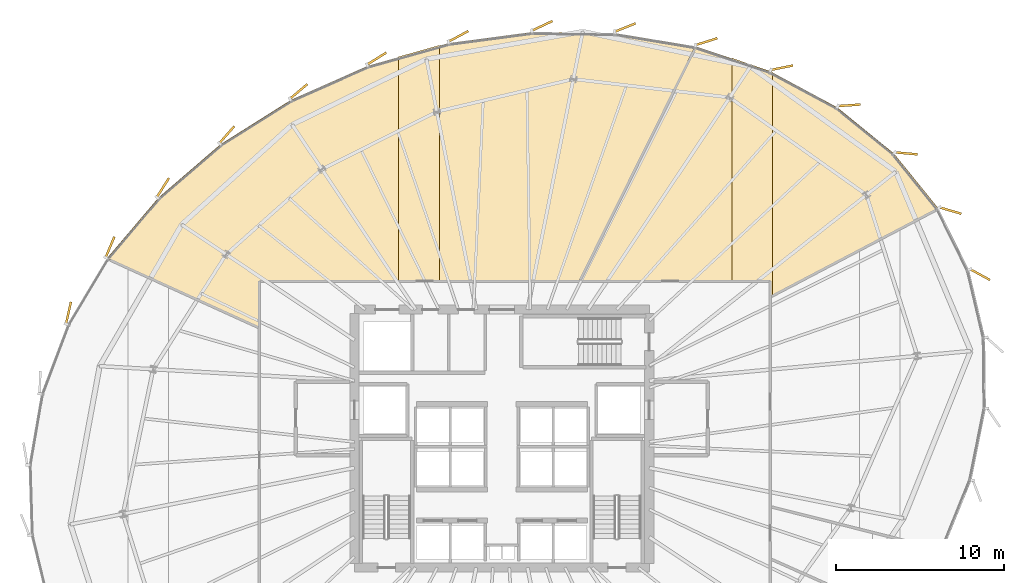
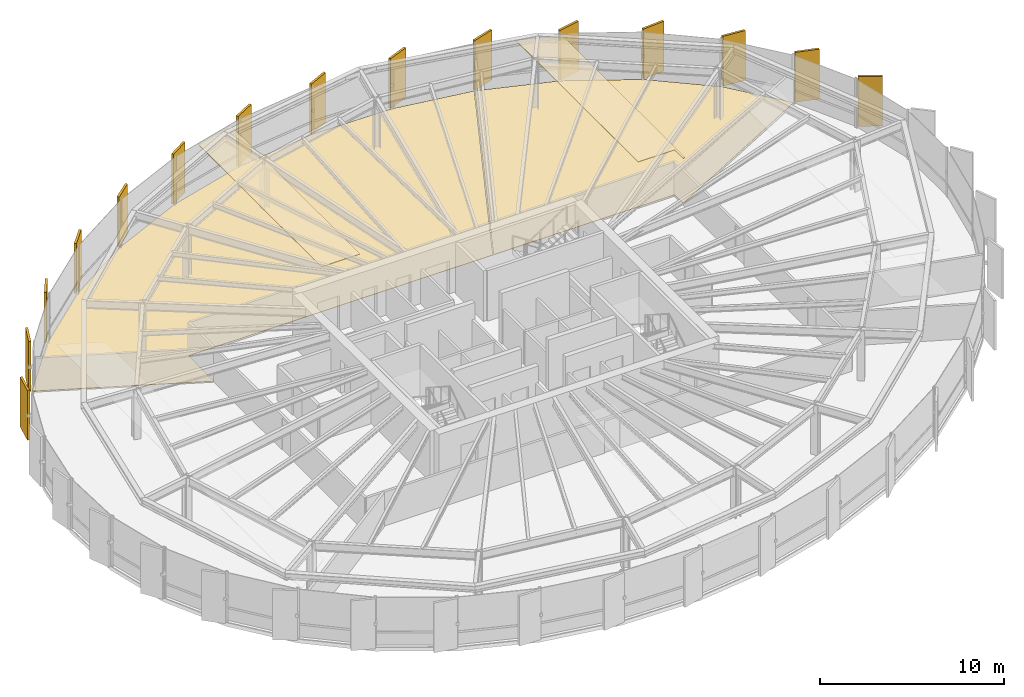
# One storey, part 33 of 33: 19 coverings.
"""IFC4 building model written with IfcOpenShell, lengths in metres."""

from ifc_helpers import new_model, si_unit, direction, frame, origin, origin_2d, place, context, subcontext, project, spatial, polyline, rectangle, outline, extrude, source, transform, mapped, material, layer, layer_set, type_object, element, save


model = new_model("IFC4")

# Units and contexts
model_context = context("Model", 3, precision=1e-05, world=origin(), true_north=direction((0.0, 1.0)))
body_context = subcontext(model_context, "Body", "Model", "MODEL_VIEW")
ifc_project = project(units=[si_unit("LENGTHUNIT", "METRE"), si_unit("AREAUNIT", "SQUARE_METRE"), si_unit("VOLUMEUNIT", "CUBIC_METRE"), si_unit("PLANEANGLEUNIT", "RADIAN"), si_unit("MASSUNIT", "GRAM", prefix="KILO"), si_unit("THERMODYNAMICTEMPERATUREUNIT", "KELVIN")], contexts=[model_context])

# Site, building, storey
site_placement = place(None, origin())
site = spatial("IfcSite", under=ifc_project, at=site_placement, CompositionType="ELEMENT")
building_placement = place(site_placement, origin())
building = spatial("IfcBuilding", under=site, at=building_placement, Name="Kethvar Cultural Tower", CompositionType="ELEMENT")
storey_placement = place(building_placement, frame((0.0, 0.0, 114.39990234375)))
storey = spatial("IfcBuildingStorey", under=building, at=storey_placement, Name="L28", CompositionType="ELEMENT", Elevation=114.39990234375)

# Coverings
ifc_material_1 = material(Name="Acoustic Mineral Fibre Ceiling")
ifc_layer_1 = layer(ifc_material_1, 0.0400390625, Name="Acoustic Mineral Fibre Ceiling")
ifc_layer_set_1 = layer_set([ifc_layer_1], Name="Acoustic Mineral Fibre Ceiling (40 mm)")
covering_type_1 = type_object("IfcCoveringType", Name="CV-ACOUSTIC-CEIL", PredefinedType="CEILING", material=ifc_layer_set_1)
covering_1_placement = place(storey_placement, frame((0.0, 0.0, 3.0)))
element("IfcCovering", 1, at=covering_1_placement, inside=storey, type_object=covering_type_1, Name="L28 Room 04 Acoustic Ceiling Panel", PredefinedType="CEILING", context=body_context, shape_type="SweptSolid", body=[
    extrude(outline(polyline([(60.530517578125, 50.514892578125), (62.96044921875, 49.680419921875), (62.96044921875, 36.3017578125), (62.829833984375, 36.235595703125), (62.81005859375, 37.179931640625), (60.530517578125, 37.179931640625), (60.530517578125, 50.514892578125)])), origin(), (0.0, 0.0, 1.0), 0.0400390625),
])
covering_2_placement = place(storey_placement, frame((0.0, 0.0, 3.0)))
element("IfcCovering", 2, at=covering_2_placement, inside=storey, type_object=covering_type_1, Name="L28 Room 05 Acoustic Ceiling Panel", PredefinedType="CEILING", context=body_context, shape_type="SweptSolid", body=[
    extrude(outline(polyline([(43.075439453125, 51.27734375), (43.075439453125, 37.179931640625), (40.6455078125, 37.179931640625), (40.6455078125, 50.593994140625), (43.075439453125, 51.27734375)])), origin(), (0.0, 0.0, 1.0), 0.0400390625),
])
ifc_material_2 = material(Name="Architectural Oak Timber", Category="wood")
ifc_layer_2 = layer(ifc_material_2, 0.02490234375, Name="Architectural Oak Timber", Category="wood")
ifc_layer_set_2 = layer_set([ifc_layer_2], Name="Architectural Oak Timber (25 mm)")
covering_type_2 = type_object("IfcCoveringType", Name="CV-OAK-FLOOR", PredefinedType="FLOORING", material=ifc_layer_set_2)
covering_3_placement = place(storey_placement, origin())
element("IfcCovering", 3, at=covering_3_placement, inside=storey, type_object=covering_type_2, Name="L28 Room 04 Floor Finish", PredefinedType="FLOORING", context=body_context, shape_type="SweptSolid", body=[
    extrude(outline(polyline([(62.822021484375, 49.70947265625), (66.8154296875, 47.56103515625), (70.1962890625, 44.810791015625), (72.833251953125, 41.5546875), (62.85009765625, 36.288818359375), (62.83203125, 37.219970703125), (51.47265625, 37.219970703125), (58.3701171875, 51.192138671875), (62.822021484375, 49.70947265625)])), origin(), (0.0, 0.0, 1.0), 0.025146484375),
])
covering_4_placement = place(storey_placement, origin())
element("IfcCovering", 4, at=covering_4_placement, inside=storey, type_object=covering_type_2, Name="L28 Room 05 Floor Finish", PredefinedType="FLOORING", context=body_context, shape_type="SweptSolid", body=[
    extrude(outline(polyline([(26.304931640625, 42.169921875), (30.00048828125, 45.35107421875), (34.206787109375, 47.99853515625), (38.7958984375, 50.032470703125), (43.6376953125, 51.393798828125), (48.6083984375, 52.05029296875), (53.565185546875, 51.984130859375), (58.330078125, 51.201171875), (51.427978515625, 37.219970703125), (32.327880859375, 37.219970703125), (32.31005859375, 34.435302734375), (23.248291015625, 38.5712890625), (26.304931640625, 42.169921875)])), origin(), (0.0, 0.0, 1.0), 0.025146484375),
])
ifc_material_3 = material(Name="Extruded Architectural Terracotta", Category="masonry")
ifc_layer_3 = layer(ifc_material_3, 0.135009765625, Name="Extruded Architectural Terracotta", Category="masonry")
ifc_layer_set_3 = layer_set([ifc_layer_3], Name="Extruded Architectural Terracotta (135 mm)")
covering_type_3 = type_object("IfcCoveringType", Name="Terracotta Facade Fin FIN-02", PredefinedType="CLADDING", material=ifc_layer_set_3)
shared_shape = source(origin(), body_context, "Body", "SweptSolid", [
    extrude(rectangle(XDim=1.35009765625, YDim=0.135009765625, at=origin_2d()), origin(), (0.0, 0.0, 1.0), 3.31005859375),
])
for number, where, z_axis, x_axis, name in (
    (5, (75.343017578125, 37.59033203125, 0.02001953125), (0.0, 0.0, 1.0), (0.877899414566, -0.478845087586, 0.0), "L28 Vertical Terracotta Fin 1.1"),
    (6, (73.574462890625, 41.41015625, 0.02001953125), (0.0, 0.0, 1.0), (0.960196240907, -0.279326294767, 0.0), "L28 Vertical Terracotta Fin 1.2"),
    (7, (70.93310546875, 44.8251953125, 0.02001953125), (0.0, 0.0, 1.0), (0.995772926817, -0.091849214576, 0.0), "L28 Vertical Terracotta Fin 1.3"),
    (8, (67.537841796875, 47.694580078125, 0.02001953125), (0.0, 0.0, 1.0), (0.997612506361, 0.069060025714, 0.0), "L28 Vertical Terracotta Fin 1.4"),
    (9, (63.51708984375, 49.9375, 0.02001953125), (0.0, 0.0, 1.0), (0.980202119474, 0.197999507521, 0.0), "L28 Vertical Terracotta Fin 1.5"),
    (10, (59.017578125, 51.495849609375, 0.02001953125), (0.0, 0.0, 1.0), (0.954916373739, 0.296874921752, 0.0), "L28 Vertical Terracotta Fin 1.6"),
    (11, (54.15625, 52.333984375, 0.02001953125), (0.0, 0.0, 1.0), (0.929197090365, 0.369584587417, 0.0), "L28 Vertical Terracotta Fin 2.1"),
    (12, (49.20751953125, 52.43701171875, 0.02001953125), (0.0, 0.0, 1.0), (0.904827052466, 0.425779291565, 0.0), "L28 Vertical Terracotta Fin 2.2"),
    (13, (44.20654296875, 51.809814453125, 0.02001953125), (0.0, 0.0, 1.0), (0.880973334654, 0.473165915539, 0.0), "L28 Vertical Terracotta Fin 2.3"),
    (14, (39.32958984375, 50.481201171875, 0.02001953125), (0.0, 0.0, 1.0), (0.848879444811, 0.528586500185, 0.0), "L28 Vertical Terracotta Fin 2.4"),
    (15, (34.67041015625, 48.51953125, 0.02001953125), (0.0, 0.0, 1.0), (0.763908670619, 0.645324370339, 0.0), "L28 Vertical Terracotta Fin 2.5"),
    (16, (30.3818359375, 45.93505859375, 0.02001953125), (0.0, 0.0, 1.0), (0.659739387103, 0.751494471773, 0.0), "L28 Vertical Terracotta Fin 2.6"),
    (17, (26.565673828125, 42.7763671875, 0.02001953125), (0.0, 0.0, 1.0), (0.534942323205, 0.844888578952, 0.0), "L28 Vertical Terracotta Fin 3.1"),
    (18, (23.409423828125, 39.22705078125, 0.02001953125), (0.0, 0.0, 1.0), (0.388480746631, 0.921456840821, 0.0), "L28 Vertical Terracotta Fin 3.2"),
    (19, (20.931396484375, 35.3037109375, 0.02001953125), (0.0, 0.0, 1.0), (0.219846204353, 0.975534543946, 0.0), "L28 Vertical Terracotta Fin 3.3"),
):
    element("IfcCovering", number, at=place(storey_placement, frame(where, z_axis=z_axis, x_axis=x_axis)), inside=storey, type_object=covering_type_3, Name=name, PredefinedType="CLADDING", context=body_context, shape_type="MappedRepresentation", body=[
        mapped(shared_shape, transform((0.0, 0.0, 0.0), scale=1.0)),
    ])

save(model, "model.ifc")
